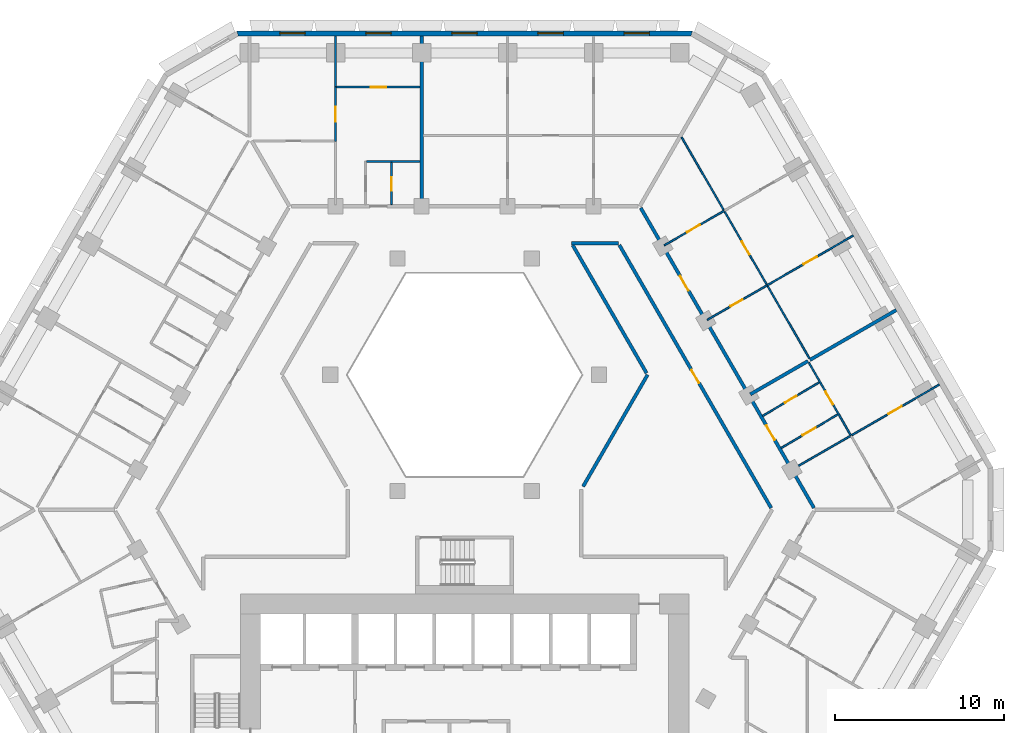
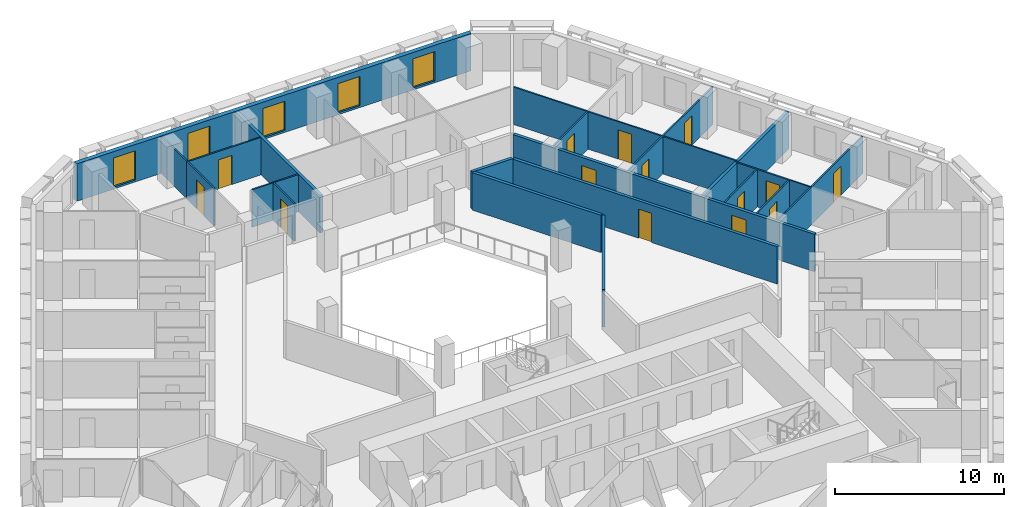
# One storey, part 9 of 16: 22 walls, 14 doors, 5 windows, 19 openings.
"""IFC4 building model written with IfcOpenShell, lengths in metres."""

from ifc_helpers import new_model, si_unit, direction, frame, frame_2d, origin, place, context, subcontext, project, spatial, polyline, rectangle, outline, extrude, material, layer, layer_set, type_object, element, fill, save


model = new_model("IFC4")

# Units and contexts
model_context = context("Model", 3, precision=1e-05, world=origin(), true_north=direction((0.0, 1.0)))
body_context = subcontext(model_context, "Body", "Model", "MODEL_VIEW")
ifc_project = project(units=[si_unit("LENGTHUNIT", "METRE"), si_unit("AREAUNIT", "SQUARE_METRE"), si_unit("VOLUMEUNIT", "CUBIC_METRE"), si_unit("PLANEANGLEUNIT", "RADIAN"), si_unit("MASSUNIT", "GRAM", prefix="KILO")], contexts=[model_context])

# Site, building, storey
site_placement = place(None, origin())
site = spatial("IfcSite", under=ifc_project, at=site_placement, CompositionType="ELEMENT")
building_placement = place(site_placement, origin())
building = spatial("IfcBuilding", under=site, at=building_placement, Name="Beryl Residences", CompositionType="ELEMENT")
storey_placement = place(building_placement, frame((0.0, 0.0, 44.39990234375)))
storey = spatial("IfcBuildingStorey", under=building, at=storey_placement, Name="L13", CompositionType="ELEMENT", Elevation=44.39990234375)

# Wall, openings, windows
ifc_material_1 = material(Name="Composite metal panel with mineral wool insulation")
ifc_layer_1 = layer(ifc_material_1, 0.300048828125)
ifc_layer_set_1 = layer_set([ifc_layer_1], Name="ES1 pale metal composite panel wall 300 mm")
wall_type_1 = type_object("IfcWallType", Name="ES1 pale metal composite panel wall 300 mm", PredefinedType="SOLIDWALL", material=ifc_layer_set_1)
wall_1_placement = place(storey_placement, frame((13.510009765625, 28.25, 0.0), z_axis=(0.0, 0.0, 1.0), x_axis=(-1.0, 0.0, 0.0)))
wall_1 = element("IfcWall", 1, at=wall_1_placement, inside=storey, type_object=wall_type_1, Name="ES1 external wall L13 N", PredefinedType="SOLIDWALL", context=body_context, shape_type="SweptSolid", body=[
    extrude(outline(polyline([(0.0, -0.14990234375), (27.02001953125, -0.14990234375), (26.939697265625, 0.14990234375), (0.080322265625, 0.14990234375), (0.0, -0.14990234375)])), origin(), (0.0, 0.0, 1.0), 2.7001953125),
])
opening_1_placement = place(wall_1_placement, frame((2.552978515625, 0.0, 0.14990234375)))
opening_1 = element("IfcOpeningElement", 2, at=opening_1_placement, cuts=wall_1, Name="Opening W1", PredefinedType="OPENING", context=body_context, shape_type="SweptSolid", body=[
    extrude(rectangle(XDim=1.5, YDim=2.10009765625, at=frame_2d((0.75, 1.050048828125))), frame((0.0, 0.159912109375, 0.0), z_axis=(0.0, -1.0, 0.0), x_axis=(1.0, 0.0, 0.0)), (0.0, 0.0, 1.0), 0.320068359375),
])
opening_2_placement = place(wall_1_placement, frame((7.656982421875, 0.0, 0.14990234375)))
opening_2 = element("IfcOpeningElement", 3, at=opening_2_placement, cuts=wall_1, Name="Opening W1", PredefinedType="OPENING", context=body_context, shape_type="SweptSolid", body=[
    extrude(rectangle(XDim=1.5, YDim=2.10009765625, at=frame_2d((0.75, 1.050048828125))), frame((0.0, 0.159912109375, 0.0), z_axis=(0.0, -1.0, 0.0), x_axis=(1.0, 0.0, 0.0)), (0.0, 0.0, 1.0), 0.320068359375),
])
opening_3_placement = place(wall_1_placement, frame((12.760986328125, 0.0, 0.14990234375)))
opening_3 = element("IfcOpeningElement", 4, at=opening_3_placement, cuts=wall_1, Name="Opening W1", PredefinedType="OPENING", context=body_context, shape_type="SweptSolid", body=[
    extrude(rectangle(XDim=1.5, YDim=2.10009765625, at=frame_2d((0.75, 1.050048828125))), frame((0.0, 0.159912109375, 0.0), z_axis=(0.0, -1.0, 0.0), x_axis=(1.0, 0.0, 0.0)), (0.0, 0.0, 1.0), 0.320068359375),
])
opening_4_placement = place(wall_1_placement, frame((17.864990234375, 0.0, 0.14990234375)))
opening_4 = element("IfcOpeningElement", 5, at=opening_4_placement, cuts=wall_1, Name="Opening W1", PredefinedType="OPENING", context=body_context, shape_type="SweptSolid", body=[
    extrude(rectangle(XDim=1.5, YDim=2.10009765625, at=frame_2d((0.75, 1.050048828125))), frame((0.0, 0.159912109375, 0.0), z_axis=(0.0, -1.0, 0.0), x_axis=(1.0, 0.0, 0.0)), (0.0, 0.0, 1.0), 0.320068359375),
])
opening_5_placement = place(wall_1_placement, frame((22.968994140625, 0.0, 0.14990234375)))
opening_5 = element("IfcOpeningElement", 6, at=opening_5_placement, cuts=wall_1, Name="Opening W1", PredefinedType="OPENING", context=body_context, shape_type="SweptSolid", body=[
    extrude(rectangle(XDim=1.5, YDim=2.10009765625, at=frame_2d((0.75, 1.050048828125))), frame((0.0, 0.159912109375, 0.0), z_axis=(0.0, -1.0, 0.0), x_axis=(1.0, 0.0, 0.0)), (0.0, 0.0, 1.0), 0.320068359375),
])
ifc_material_2 = material(Name="Aluminium and clear glass", Category="aluminium")
window_type = type_object("IfcWindowType", Name="W1 cell window 1500 x 2100 mm", PartitioningType="SINGLE_PANEL", PredefinedType="WINDOW", material=ifc_material_2)
window_1_placement = place(opening_1_placement, origin())
window_1 = element("IfcWindow", 7, at=window_1_placement, inside=storey, type_object=window_type, Name="W1 window L13 N 2", OverallHeight=2.10009765625, OverallWidth=1.5, PartitioningType="SINGLE_PANEL", PredefinedType="WINDOW", context=body_context, shape_type="SweptSolid", body=[
    extrude(rectangle(XDim=1.5, YDim=2.10009765625, at=frame_2d((0.75, 1.050048828125))), frame((0.0, 0.030029296875, 0.0), z_axis=(0.0, -1.0, 0.0), x_axis=(1.0, 0.0, 0.0)), (0.0, 0.0, 1.0), 0.06005859375),
])
fill(opening_1, window_1)
window_2_placement = place(opening_2_placement, origin())
window_2 = element("IfcWindow", 8, at=window_2_placement, inside=storey, type_object=window_type, Name="W1 window L13 N 4", OverallHeight=2.10009765625, OverallWidth=1.5, PartitioningType="SINGLE_PANEL", PredefinedType="WINDOW", context=body_context, shape_type="SweptSolid", body=[
    extrude(rectangle(XDim=1.5, YDim=2.10009765625, at=frame_2d((0.75, 1.050048828125))), frame((0.0, 0.030029296875, 0.0), z_axis=(0.0, -1.0, 0.0), x_axis=(1.0, 0.0, 0.0)), (0.0, 0.0, 1.0), 0.06005859375),
])
fill(opening_2, window_2)
window_3_placement = place(opening_3_placement, origin())
window_3 = element("IfcWindow", 9, at=window_3_placement, inside=storey, type_object=window_type, Name="W1 window L13 N 6", OverallHeight=2.10009765625, OverallWidth=1.5, PartitioningType="SINGLE_PANEL", PredefinedType="WINDOW", context=body_context, shape_type="SweptSolid", body=[
    extrude(rectangle(XDim=1.5, YDim=2.10009765625, at=frame_2d((0.75, 1.050048828125))), frame((0.0, 0.030029296875, 0.0), z_axis=(0.0, -1.0, 0.0), x_axis=(1.0, 0.0, 0.0)), (0.0, 0.0, 1.0), 0.06005859375),
])
fill(opening_3, window_3)
window_4_placement = place(opening_4_placement, origin())
window_4 = element("IfcWindow", 10, at=window_4_placement, inside=storey, type_object=window_type, Name="W1 window L13 N 8", OverallHeight=2.10009765625, OverallWidth=1.5, PartitioningType="SINGLE_PANEL", PredefinedType="WINDOW", context=body_context, shape_type="SweptSolid", body=[
    extrude(rectangle(XDim=1.5, YDim=2.10009765625, at=frame_2d((0.75, 1.050048828125))), frame((0.0, 0.030029296875, 0.0), z_axis=(0.0, -1.0, 0.0), x_axis=(1.0, 0.0, 0.0)), (0.0, 0.0, 1.0), 0.06005859375),
])
fill(opening_4, window_4)
window_5_placement = place(opening_5_placement, origin())
window_5 = element("IfcWindow", 11, at=window_5_placement, inside=storey, type_object=window_type, Name="W1 window L13 N 10", OverallHeight=2.10009765625, OverallWidth=1.5, PartitioningType="SINGLE_PANEL", PredefinedType="WINDOW", context=body_context, shape_type="SweptSolid", body=[
    extrude(rectangle(XDim=1.5, YDim=2.10009765625, at=frame_2d((0.75, 1.050048828125))), frame((0.0, 0.030029296875, 0.0), z_axis=(0.0, -1.0, 0.0), x_axis=(1.0, 0.0, 0.0)), (0.0, 0.0, 1.0), 0.06005859375),
])
fill(opening_5, window_5)

# Wall, opening, door
ifc_material_3 = material(Name="Gypsum board partition on steel studs", Category="steel")
ifc_layer_2 = layer(ifc_material_3, 0.10009765625)
ifc_layer_set_2 = layer_set([ifc_layer_2], Name="PT1 partition 100 mm gypsum board on steel studs")
wall_type_2 = type_object("IfcWallType", Name="PT1 partition 100 mm gypsum board on steel studs", PredefinedType="PARTITIONING", material=ifc_layer_set_2)
wall_2_placement = place(storey_placement, frame((20.4189453125, 8.72802734375, 0.0), z_axis=(0.0, 0.0, 1.0), x_axis=(0.499958946799, -0.866049104564, 0.0)))
wall_2 = element("IfcWall", 12, at=wall_2_placement, inside=storey, type_object=wall_type_2, Name="Wall PT1 L13 002", PredefinedType="PARTITIONING", context=body_context, shape_type="SweptSolid", body=[
    extrude(rectangle(XDim=5.00439453125, YDim=0.10009765625, at=frame_2d((2.502197265625, 0.0))), origin(), (0.0, 0.0, 1.0), 2.7001953125),
])
opening_6_placement = place(wall_2_placement, frame((1.97802734375, 0.0, 0.0)))
opening_6 = element("IfcOpeningElement", 13, at=opening_6_placement, cuts=wall_2, Name="Opening D0548", PredefinedType="OPENING", context=body_context, shape_type="SweptSolid", body=[
    extrude(rectangle(XDim=0.89990234375, YDim=2.10009765625, at=frame_2d((0.449951171875, 1.050048828125))), frame((0.0, 0.06005859375, 0.0), z_axis=(0.0, -1.0, 0.0), x_axis=(1.0, 0.0, 0.0)), (0.0, 0.0, 1.0), 0.1201171875),
])
ifc_material_4 = material(Name="Timber door leaf", Category="wood")
door_type_1 = type_object("IfcDoorType", Name="D2 room door 900 x 2100 mm", OperationType="SINGLE_SWING_LEFT", PredefinedType="DOOR", material=ifc_material_4)
door_1_placement = place(opening_6_placement, origin())
door_1 = element("IfcDoor", 14, at=door_1_placement, inside=storey, type_object=door_type_1, Name="Door D0548 L13 001", OperationType="SINGLE_SWING_RIGHT", OverallHeight=2.10009765625, OverallWidth=0.89990234375, PredefinedType="DOOR", context=body_context, shape_type="SweptSolid", body=[
    extrude(rectangle(XDim=0.89990234375, YDim=2.10009765625, at=frame_2d((0.449951171875, 1.050048828125))), frame((0.0, 0.02490234375, 0.0), z_axis=(0.0, -1.0, 0.0), x_axis=(1.0, 0.0, 0.0)), (0.0, 0.0, 1.0), 0.050048828125),
])
fill(opening_6, door_1)

wall_3_placement = place(storey_placement, frame((12.875, 22.10009765625, 0.0), z_axis=(0.0, 0.0, 1.0), x_axis=(0.499994897061, -0.866028349948, 0.0)))
wall_3 = element("IfcWall", 15, at=wall_3_placement, inside=storey, type_object=wall_type_2, Name="Wall PT1 L13 003", PredefinedType="PARTITIONING", context=body_context, shape_type="SweptSolid", body=[
    extrude(rectangle(XDim=15.152099609375, YDim=0.10009765625, at=frame_2d((7.576171875, 0.0))), origin(), (0.0, 0.0, 1.0), 2.7001953125),
])
opening_7_placement = place(wall_3_placement, frame((7.14599609375, 0.0, 0.0)))
opening_7 = element("IfcOpeningElement", 16, at=opening_7_placement, cuts=wall_3, Name="Opening D0553", PredefinedType="OPENING", context=body_context, shape_type="SweptSolid", body=[
    extrude(rectangle(XDim=0.89990234375, YDim=2.10009765625, at=frame_2d((0.449951171875, 1.050048828125))), frame((0.0, 0.06005859375, 0.0), z_axis=(0.0, -1.0, 0.0), x_axis=(1.0, 0.0, 0.0)), (0.0, 0.0, 1.0), 0.1201171875),
])
door_2_placement = place(opening_7_placement, origin())
door_2 = element("IfcDoor", 17, at=door_2_placement, inside=storey, type_object=door_type_1, Name="Door D0553 L13 001", OperationType="SINGLE_SWING_LEFT", OverallHeight=2.10009765625, OverallWidth=0.89990234375, PredefinedType="DOOR", context=body_context, shape_type="SweptSolid", body=[
    extrude(rectangle(XDim=0.89990234375, YDim=2.10009765625, at=frame_2d((0.449951171875, 1.050048828125))), frame((0.0, 0.02490234375, 0.0), z_axis=(0.0, -1.0, 0.0), x_axis=(1.0, 0.0, 0.0)), (0.0, 0.0, 1.0), 0.050048828125),
])
fill(opening_7, door_2)

# Walls
wall_4_placement = place(storey_placement, frame((-7.656982421875, 28.10009765625, 0.0), z_axis=(0.0, 0.0, 1.0), x_axis=(0.0, -1.0, 0.0)))
element("IfcWall", 18, at=wall_4_placement, inside=storey, type_object=wall_type_2, Name="Wall PT1 L13 005", PredefinedType="PARTITIONING", context=body_context, shape_type="SweptSolid", body=[
    extrude(rectangle(XDim=3.0, YDim=0.10009765625, at=frame_2d((1.5, 0.0))), origin(), (0.0, 0.0, 1.0), 2.7001953125),
])
wall_5_placement = place(storey_placement, frame((-5.820068359375, 20.659912109375, 0.0), z_axis=(0.0, 0.0, 1.0), x_axis=(1.0, 0.0, 0.0)))
element("IfcWall", 19, at=wall_5_placement, inside=storey, type_object=wall_type_2, Name="Wall PT1 L13 032", PredefinedType="PARTITIONING", context=body_context, shape_type="SweptSolid", body=[
    extrude(rectangle(XDim=3.1669921875, YDim=0.10009765625, at=frame_2d((1.58349609375, 0.0))), origin(), (0.0, 0.0, 1.0), 2.7001953125),
])

# Wall, opening, door
wall_6_placement = place(storey_placement, frame((-7.60693359375, 25.070068359375, 0.0), z_axis=(0.0, 0.0, 1.0), x_axis=(1.0, 0.0, 0.0)))
wall_6 = element("IfcWall", 20, at=wall_6_placement, inside=storey, type_object=wall_type_2, Name="Wall PT1 L13 035", PredefinedType="PARTITIONING", context=body_context, shape_type="SweptSolid", body=[
    extrude(rectangle(XDim=4.953857421875, YDim=0.10009765625, at=frame_2d((2.47705078125, 0.0))), origin(), (0.0, 0.0, 1.0), 2.7001953125),
])
opening_8_placement = place(wall_6_placement, frame((2.052001953125, 0.0, 0.0)))
opening_8 = element("IfcOpeningElement", 21, at=opening_8_placement, cuts=wall_6, Name="Opening D0567", PredefinedType="OPENING", context=body_context, shape_type="SweptSolid", body=[
    extrude(rectangle(XDim=0.89990234375, YDim=2.10009765625, at=frame_2d((0.449951171875, 1.050048828125))), frame((0.0, 0.06005859375, 0.0), z_axis=(0.0, -1.0, 0.0), x_axis=(1.0, 0.0, 0.0)), (0.0, 0.0, 1.0), 0.1201171875),
])
door_3_placement = place(opening_8_placement, origin())
door_3 = element("IfcDoor", 22, at=door_3_placement, inside=storey, type_object=door_type_1, Name="Door D0567 L13 001", OperationType="SINGLE_SWING_LEFT", OverallHeight=2.10009765625, OverallWidth=0.89990234375, PredefinedType="DOOR", context=body_context, shape_type="SweptSolid", body=[
    extrude(rectangle(XDim=0.89990234375, YDim=2.10009765625, at=frame_2d((0.449951171875, 1.050048828125))), frame((0.0, 0.02490234375, 0.0), z_axis=(0.0, -1.0, 0.0), x_axis=(1.0, 0.0, 0.0)), (0.0, 0.0, 1.0), 0.050048828125),
])
fill(opening_8, door_3)

wall_7_placement = place(storey_placement, frame((-4.339111328125, 18.10009765625, 0.0), z_axis=(0.0, 0.0, 1.0), x_axis=(0.0, 1.0, 0.0)))
wall_7 = element("IfcWall", 23, at=wall_7_placement, inside=storey, type_object=wall_type_2, Name="Wall PT1 L13 050", PredefinedType="PARTITIONING", context=body_context, shape_type="SweptSolid", body=[
    extrude(rectangle(XDim=2.510009765625, YDim=0.10009765625, at=frame_2d((1.2548828125, 0.0))), origin(), (0.0, 0.0, 1.0), 2.7001953125),
])
opening_9_placement = place(wall_7_placement, frame((0.830078125, 0.0, 0.0)))
opening_9 = element("IfcOpeningElement", 24, at=opening_9_placement, cuts=wall_7, Name="Opening D0566", PredefinedType="OPENING", context=body_context, shape_type="SweptSolid", body=[
    extrude(rectangle(XDim=0.800048828125, YDim=2.10009765625, at=frame_2d((0.39990234375, 1.050048828125))), frame((0.0, 0.06005859375, 0.0), z_axis=(0.0, -1.0, 0.0), x_axis=(1.0, 0.0, 0.0)), (0.0, 0.0, 1.0), 0.1201171875),
])
ifc_material_5 = material(Name="Timber door leaf", Category="wood")
door_type_2 = type_object("IfcDoorType", Name="D3 bathroom door 800 x 2100 mm", OperationType="SINGLE_SWING_LEFT", PredefinedType="DOOR", material=ifc_material_5)
door_4_placement = place(opening_9_placement, origin())
door_4 = element("IfcDoor", 25, at=door_4_placement, inside=storey, type_object=door_type_2, Name="Door D0566 L13 001", OperationType="SINGLE_SWING_RIGHT", OverallHeight=2.10009765625, OverallWidth=0.800048828125, PredefinedType="DOOR", context=body_context, shape_type="SweptSolid", body=[
    extrude(rectangle(XDim=0.800048828125, YDim=2.10009765625, at=frame_2d((0.39990234375, 1.050048828125))), frame((0.0, 0.02490234375, 0.0), z_axis=(0.0, -1.0, 0.0), x_axis=(1.0, 0.0, 0.0)), (0.0, 0.0, 1.0), 0.050048828125),
])
fill(opening_9, door_4)

wall_8_placement = place(storey_placement, frame((-7.656982421875, 21.85400390625, 0.0), z_axis=(0.0, 0.0, 1.0), x_axis=(0.0, 1.0, 0.0)))
wall_8 = element("IfcWall", 26, at=wall_8_placement, inside=storey, type_object=wall_type_2, Name="Wall PT1 L13 053", PredefinedType="PARTITIONING", context=body_context, shape_type="SweptSolid", body=[
    extrude(rectangle(XDim=3.216064453125, YDim=0.10009765625, at=frame_2d((1.60791015625, 0.0))), origin(), (0.0, 0.0, 1.0), 2.7001953125),
])
opening_10_placement = place(wall_8_placement, frame((1.157958984375, 0.0, 0.0)))
opening_10 = element("IfcOpeningElement", 27, at=opening_10_placement, cuts=wall_8, Name="Opening D0568", PredefinedType="OPENING", context=body_context, shape_type="SweptSolid", body=[
    extrude(rectangle(XDim=0.89990234375, YDim=2.10009765625, at=frame_2d((0.449951171875, 1.050048828125))), frame((0.0, 0.06005859375, 0.0), z_axis=(0.0, -1.0, 0.0), x_axis=(1.0, 0.0, 0.0)), (0.0, 0.0, 1.0), 0.1201171875),
])
door_5_placement = place(opening_10_placement, origin())
door_5 = element("IfcDoor", 28, at=door_5_placement, inside=storey, type_object=door_type_1, Name="Door D0568 L13 001", OperationType="SINGLE_SWING_RIGHT", OverallHeight=2.10009765625, OverallWidth=0.89990234375, PredefinedType="DOOR", context=body_context, shape_type="SweptSolid", body=[
    extrude(rectangle(XDim=0.89990234375, YDim=2.10009765625, at=frame_2d((0.449951171875, 1.050048828125))), frame((0.0, 0.02490234375, 0.0), z_axis=(0.0, -1.0, 0.0), x_axis=(1.0, 0.0, 0.0)), (0.0, 0.0, 1.0), 0.050048828125),
])
fill(opening_10, door_5)

wall_9_placement = place(storey_placement, frame((19.5029296875, 2.4208984375, 0.0), z_axis=(0.0, 0.0, 1.0), x_axis=(0.866065245018, 0.499930986609, 0.0)))
wall_9 = element("IfcWall", 29, at=wall_9_placement, inside=storey, type_object=wall_type_2, Name="Wall PT1 L13 060", PredefinedType="PARTITIONING", context=body_context, shape_type="SweptSolid", body=[
    extrude(rectangle(XDim=9.99951171875, YDim=0.10009765625, at=frame_2d((4.999755859375, 0.0))), origin(), (0.0, 0.0, 1.0), 2.7001953125),
])
opening_11_placement = place(wall_9_placement, frame((6.52294921875, 0.0, 0.0)))
opening_11 = element("IfcOpeningElement", 30, at=opening_11_placement, cuts=wall_9, Name="Opening D0549", PredefinedType="OPENING", context=body_context, shape_type="SweptSolid", body=[
    extrude(rectangle(XDim=0.89990234375, YDim=2.10009765625, at=frame_2d((0.449951171875, 1.050048828125))), frame((0.0, 0.06005859375, 0.0), z_axis=(0.0, -1.0, 0.0), x_axis=(1.0, 0.0, 0.0)), (0.0, 0.0, 1.0), 0.1201171875),
])
door_6_placement = place(opening_11_placement, origin())
door_6 = element("IfcDoor", 31, at=door_6_placement, inside=storey, type_object=door_type_1, Name="Door D0549 L13 001", OperationType="SINGLE_SWING_LEFT", OverallHeight=2.10009765625, OverallWidth=0.89990234375, PredefinedType="DOOR", context=body_context, shape_type="SweptSolid", body=[
    extrude(rectangle(XDim=0.89990234375, YDim=2.10009765625, at=frame_2d((0.449951171875, 1.050048828125))), frame((0.0, 0.02490234375, 0.0), z_axis=(0.0, -1.0, 0.0), x_axis=(1.0, 0.0, 0.0)), (0.0, 0.0, 1.0), 0.050048828125),
])
fill(opening_11, door_6)

wall_10_placement = place(storey_placement, frame((11.846923828125, 15.680908203125, 0.0), z_axis=(0.0, 0.0, 1.0), x_axis=(0.865980278416, 0.500078151287, 0.0)))
wall_10 = element("IfcWall", 32, at=wall_10_placement, inside=storey, type_object=wall_type_2, Name="Wall PT1 L13 064", PredefinedType="PARTITIONING", context=body_context, shape_type="SweptSolid", body=[
    extrude(rectangle(XDim=4.099365234375, YDim=0.10009765625, at=frame_2d((2.0498046875, 0.0))), origin(), (0.0, 0.0, 1.0), 2.7001953125),
])
opening_12_placement = place(wall_10_placement, frame((1.550048828125, 0.0, 0.0)))
opening_12 = element("IfcOpeningElement", 33, at=opening_12_placement, cuts=wall_10, Name="Opening D0555", PredefinedType="OPENING", context=body_context, shape_type="SweptSolid", body=[
    extrude(rectangle(XDim=0.89990234375, YDim=2.10009765625, at=frame_2d((0.449951171875, 1.050048828125))), frame((0.0, 0.06005859375, 0.0), z_axis=(0.0, -1.0, 0.0), x_axis=(1.0, 0.0, 0.0)), (0.0, 0.0, 1.0), 0.1201171875),
])
door_7_placement = place(opening_12_placement, origin())
door_7 = element("IfcDoor", 34, at=door_7_placement, inside=storey, type_object=door_type_1, Name="Door D0555 L13 001", OperationType="SINGLE_SWING_LEFT", OverallHeight=2.10009765625, OverallWidth=0.89990234375, PredefinedType="DOOR", context=body_context, shape_type="SweptSolid", body=[
    extrude(rectangle(XDim=0.89990234375, YDim=2.10009765625, at=frame_2d((0.449951171875, 1.050048828125))), frame((0.0, 0.02490234375, 0.0), z_axis=(0.0, -1.0, 0.0), x_axis=(1.0, 0.0, 0.0)), (0.0, 0.0, 1.0), 0.050048828125),
])
fill(opening_12, door_7)

wall_11_placement = place(storey_placement, frame((14.39892578125, 11.260986328125, 0.0), z_axis=(0.0, 0.0, 1.0), x_axis=(0.865980278416, 0.500078151287, 0.0)))
wall_11 = element("IfcWall", 35, at=wall_11_placement, inside=storey, type_object=wall_type_2, Name="Wall PT1 L13 065", PredefinedType="PARTITIONING", context=body_context, shape_type="SweptSolid", body=[
    extrude(rectangle(XDim=4.099365234375, YDim=0.10009765625, at=frame_2d((2.0498046875, 0.0))), origin(), (0.0, 0.0, 1.0), 2.7001953125),
])
opening_13_placement = place(wall_11_placement, frame((1.60009765625, 0.0, 0.0)))
opening_13 = element("IfcOpeningElement", 36, at=opening_13_placement, cuts=wall_11, Name="Opening D0554", PredefinedType="OPENING", context=body_context, shape_type="SweptSolid", body=[
    extrude(rectangle(XDim=0.800048828125, YDim=2.10009765625, at=frame_2d((0.39990234375, 1.050048828125))), frame((0.0, 0.06005859375, 0.0), z_axis=(0.0, -1.0, 0.0), x_axis=(1.0, 0.0, 0.0)), (0.0, 0.0, 1.0), 0.1201171875),
])
door_8_placement = place(opening_13_placement, origin())
door_8 = element("IfcDoor", 37, at=door_8_placement, inside=storey, type_object=door_type_2, Name="Door D0554 L13 001", OperationType="SINGLE_SWING_RIGHT", OverallHeight=2.10009765625, OverallWidth=0.800048828125, PredefinedType="DOOR", context=body_context, shape_type="SweptSolid", body=[
    extrude(rectangle(XDim=0.800048828125, YDim=2.10009765625, at=frame_2d((0.39990234375, 1.050048828125))), frame((0.0, 0.02490234375, 0.0), z_axis=(0.0, -1.0, 0.0), x_axis=(1.0, 0.0, 0.0)), (0.0, 0.0, 1.0), 0.050048828125),
])
fill(opening_13, door_8)

wall_12_placement = place(storey_placement, frame((17.68798828125, 5.56396484375, 0.0), z_axis=(0.0, 0.0, 1.0), x_axis=(0.860107296662, 0.510113162179, 0.0)))
wall_12 = element("IfcWall", 38, at=wall_12_placement, inside=storey, type_object=wall_type_2, Name="Wall PT1 L13 066", PredefinedType="PARTITIONING", context=body_context, shape_type="SweptSolid", body=[
    extrude(rectangle(XDim=3.897216796875, YDim=0.10009765625, at=frame_2d((1.94873046875, 0.0))), origin(), (0.0, 0.0, 1.0), 2.7001953125),
])
opening_14_placement = place(wall_12_placement, frame((1.52392578125, 0.0, 0.0)))
opening_14 = element("IfcOpeningElement", 39, at=opening_14_placement, cuts=wall_12, Name="Opening D0547", PredefinedType="OPENING", context=body_context, shape_type="SweptSolid", body=[
    extrude(rectangle(XDim=0.800048828125, YDim=2.10009765625, at=frame_2d((0.39990234375, 1.050048828125))), frame((0.0, 0.06005859375, 0.0), z_axis=(0.0, -1.0, 0.0), x_axis=(1.0, 0.0, 0.0)), (0.0, 0.0, 1.0), 0.1201171875),
])
door_9_placement = place(opening_14_placement, origin())
door_9 = element("IfcDoor", 40, at=door_9_placement, inside=storey, type_object=door_type_2, Name="Door D0547 L13 001", OperationType="SINGLE_SWING_LEFT", OverallHeight=2.10009765625, OverallWidth=0.800048828125, PredefinedType="DOOR", context=body_context, shape_type="SweptSolid", body=[
    extrude(rectangle(XDim=0.800048828125, YDim=2.10009765625, at=frame_2d((0.39990234375, 1.050048828125))), frame((0.0, 0.02490234375, 0.0), z_axis=(0.0, -1.0, 0.0), x_axis=(1.0, 0.0, 0.0)), (0.0, 0.0, 1.0), 0.050048828125),
])
fill(opening_14, door_9)

wall_13_placement = place(storey_placement, frame((18.7880859375, 3.658935546875, 0.0), z_axis=(0.0, 0.0, 1.0), x_axis=(0.860090994311, 0.510140648749, 0.0)))
wall_13 = element("IfcWall", 41, at=wall_13_placement, inside=storey, type_object=wall_type_2, Name="Wall PT1 L13 067", PredefinedType="PARTITIONING", context=body_context, shape_type="SweptSolid", body=[
    extrude(rectangle(XDim=3.89697265625, YDim=0.10009765625, at=frame_2d((1.948486328125, 0.0))), origin(), (0.0, 0.0, 1.0), 2.7001953125),
])
opening_15_placement = place(wall_13_placement, frame((1.47412109375, 0.0, 0.0)))
opening_15 = element("IfcOpeningElement", 42, at=opening_15_placement, cuts=wall_13, Name="Opening D0546", PredefinedType="OPENING", context=body_context, shape_type="SweptSolid", body=[
    extrude(rectangle(XDim=0.89990234375, YDim=2.10009765625, at=frame_2d((0.449951171875, 1.050048828125))), frame((0.0, 0.06005859375, 0.0), z_axis=(0.0, -1.0, 0.0), x_axis=(1.0, 0.0, 0.0)), (0.0, 0.0, 1.0), 0.1201171875),
])
door_10_placement = place(opening_15_placement, origin())
door_10 = element("IfcDoor", 43, at=door_10_placement, inside=storey, type_object=door_type_1, Name="Door D0546 L13 001", OperationType="SINGLE_SWING_RIGHT", OverallHeight=2.10009765625, OverallWidth=0.89990234375, PredefinedType="DOOR", context=body_context, shape_type="SweptSolid", body=[
    extrude(rectangle(XDim=0.89990234375, YDim=2.10009765625, at=frame_2d((0.449951171875, 1.050048828125))), frame((0.0, 0.02490234375, 0.0), z_axis=(0.0, -1.0, 0.0), x_axis=(1.0, 0.0, 0.0)), (0.0, 0.0, 1.0), 0.050048828125),
])
fill(opening_15, door_10)

wall_14_placement = place(storey_placement, frame((17.948974609375, 13.31103515625, 0.0), z_axis=(0.0, 0.0, 1.0), x_axis=(0.866052608538, 0.499952877023, 0.0)))
wall_14 = element("IfcWall", 44, at=wall_14_placement, inside=storey, type_object=wall_type_2, Name="Wall PT1 L13 070", PredefinedType="PARTITIONING", context=body_context, shape_type="SweptSolid", body=[
    extrude(rectangle(XDim=5.900390625, YDim=0.10009765625, at=frame_2d((2.9501953125, 0.0))), origin(), (0.0, 0.0, 1.0), 2.7001953125),
])
opening_16_placement = place(wall_14_placement, frame((2.5, 0.0, 0.0)))
opening_16 = element("IfcOpeningElement", 45, at=opening_16_placement, cuts=wall_14, Name="Opening D0556", PredefinedType="OPENING", context=body_context, shape_type="SweptSolid", body=[
    extrude(rectangle(XDim=0.89990234375, YDim=2.10009765625, at=frame_2d((0.449951171875, 1.050048828125))), frame((0.0, 0.06005859375, 0.0), z_axis=(0.0, -1.0, 0.0), x_axis=(1.0, 0.0, 0.0)), (0.0, 0.0, 1.0), 0.1201171875),
])
door_11_placement = place(opening_16_placement, origin())
door_11 = element("IfcDoor", 46, at=door_11_placement, inside=storey, type_object=door_type_1, Name="Door D0556 L13 001", OperationType="SINGLE_SWING_RIGHT", OverallHeight=2.10009765625, OverallWidth=0.89990234375, PredefinedType="DOOR", context=body_context, shape_type="SweptSolid", body=[
    extrude(rectangle(XDim=0.89990234375, YDim=2.10009765625, at=frame_2d((0.449951171875, 1.050048828125))), frame((0.0, 0.02490234375, 0.0), z_axis=(0.0, -1.0, 0.0), x_axis=(1.0, 0.0, 0.0)), (0.0, 0.0, 1.0), 0.050048828125),
])
fill(opening_16, door_11)

# Walls
ifc_material_6 = material(Name="Acoustic double stud gypsum board wall")
ifc_layer_3 = layer(ifc_material_6, 0.199951171875)
ifc_layer_set_3 = layer_set([ifc_layer_3], Name="PT3 party wall 200 mm acoustic double stud")
wall_type_3 = type_object("IfcWallType", Name="PT3 party wall 200 mm acoustic double stud", PredefinedType="PARTITIONING", material=ifc_layer_set_3)
wall_15_placement = place(storey_placement, frame((-2.552978515625, 18.10009765625, 0.0), z_axis=(0.0, 0.0, 1.0), x_axis=(0.0, 1.0, 0.0)))
element("IfcWall", 47, at=wall_15_placement, inside=storey, type_object=wall_type_3, Name="Wall PT3 L13 016", PredefinedType="PARTITIONING", context=body_context, shape_type="SweptSolid", body=[
    extrude(rectangle(XDim=10.0, YDim=0.199951171875, at=frame_2d((5.0, 0.0))), origin(), (0.0, 0.0, 1.0), 2.7001953125),
])
wall_16_placement = place(storey_placement, frame((16.949951171875, 6.841064453125, 0.0), z_axis=(0.0, 0.0, 1.0), x_axis=(0.866031112038, 0.499990112884, 0.0)))
element("IfcWall", 48, at=wall_16_placement, inside=storey, type_object=wall_type_3, Name="Wall PT3 L13 019", PredefinedType="PARTITIONING", context=body_context, shape_type="SweptSolid", body=[
    extrude(rectangle(XDim=3.94775390625, YDim=0.199951171875, at=frame_2d((1.973876953125, 0.0))), origin(), (0.0, 0.0, 1.0), 2.7001953125),
])
wall_17_placement = place(storey_placement, frame((20.48388671875, 8.881103515625, 0.0), z_axis=(0.0, 0.0, 1.0), x_axis=(0.866000821391, 0.500042575537, 0.0)))
element("IfcWall", 49, at=wall_17_placement, inside=storey, type_object=wall_type_3, Name="Wall PT3 L13 020", PredefinedType="PARTITIONING", context=body_context, shape_type="SweptSolid", body=[
    extrude(rectangle(XDim=5.91943359375, YDim=0.199951171875, at=frame_2d((2.959716796875, 0.0))), origin(), (0.0, 0.0, 1.0), 2.7001953125),
])
ifc_material_7 = material(Name="Double stud gypsum board wall")
ifc_layer_4 = layer(ifc_material_7, 0.199951171875)
ifc_layer_set_4 = layer_set([ifc_layer_4], Name="PT4 corridor wall 200 mm double stud")
wall_type_4 = type_object("IfcWallType", Name="PT4 corridor wall 200 mm double stud", PredefinedType="PARTITIONING", material=ifc_layer_set_4)
wall_18_placement = place(storey_placement, frame((6.408935546875, 15.699951171875, 0.0), z_axis=(0.0, 0.0, 1.0), x_axis=(0.499930377127, -0.866065596838, 0.0)))
element("IfcWall", 50, at=wall_18_placement, inside=storey, type_object=wall_type_4, Name="Wall PT4 L13 004", PredefinedType="PARTITIONING", context=body_context, shape_type="SweptSolid", body=[
    extrude(rectangle(XDim=8.775146484375, YDim=0.199951171875, at=frame_2d((4.3876953125, 0.0))), origin(), (0.0, 0.0, 1.0), 2.7001953125),
])

# Wall, opening, door
wall_19_placement = place(storey_placement, frame((9.179931640625, 15.699951171875, 0.0), z_axis=(0.0, 0.0, 1.0), x_axis=(0.500003652032, -0.866023295272, 0.0)))
wall_19 = element("IfcWall", 51, at=wall_19_placement, inside=storey, type_object=wall_type_4, Name="Wall PT4 L13 005", PredefinedType="PARTITIONING", context=body_context, shape_type="SweptSolid", body=[
    extrude(rectangle(XDim=18.011962890625, YDim=0.199951171875, at=frame_2d((9.005859375, 0.0))), origin(), (0.0, 0.0, 1.0), 2.7001953125),
])
opening_17_placement = place(wall_19_placement, frame((8.555908203125, 0.0, 0.0)))
opening_17 = element("IfcOpeningElement", 52, at=opening_17_placement, cuts=wall_19, Name="Opening D0578", PredefinedType="OPENING", context=body_context, shape_type="SweptSolid", body=[
    extrude(rectangle(XDim=0.89990234375, YDim=2.10009765625, at=frame_2d((0.449951171875, 1.050048828125))), frame((0.0, 0.10986328125, 0.0), z_axis=(0.0, -1.0, 0.0), x_axis=(1.0, 0.0, 0.0)), (0.0, 0.0, 1.0), 0.219970703125),
])
door_12_placement = place(opening_17_placement, origin())
door_12 = element("IfcDoor", 53, at=door_12_placement, inside=storey, type_object=door_type_1, Name="Door D0578 L13 001", OperationType="SINGLE_SWING_RIGHT", OverallHeight=2.10009765625, OverallWidth=0.89990234375, PredefinedType="DOOR", context=body_context, shape_type="SweptSolid", body=[
    extrude(rectangle(XDim=0.89990234375, YDim=2.10009765625, at=frame_2d((0.449951171875, 1.050048828125))), frame((0.0, 0.02490234375, 0.0), z_axis=(0.0, -1.0, 0.0), x_axis=(1.0, 0.0, 0.0)), (0.0, 0.0, 1.0), 0.050048828125),
])
fill(opening_17, door_12)

# Wall, openings, doors
wall_20_placement = place(storey_placement, frame((10.449951171875, 17.89990234375, 0.0), z_axis=(0.0, 0.0, 1.0), x_axis=(0.500034352617, -0.866005569383, 0.0)))
wall_20 = element("IfcWall", 54, at=wall_20_placement, inside=storey, type_object=wall_type_4, Name="Wall PT4 L13 006", PredefinedType="PARTITIONING", context=body_context, shape_type="SweptSolid", body=[
    extrude(rectangle(XDim=20.552734375, YDim=0.199951171875, at=frame_2d((10.2763671875, 0.0))), origin(), (0.0, 0.0, 1.0), 2.7001953125),
])
opening_18_placement = place(wall_20_placement, frame((14.902099609375, 0.0, 0.0)))
opening_18 = element("IfcOpeningElement", 55, at=opening_18_placement, cuts=wall_20, Name="Opening D0545", PredefinedType="OPENING", context=body_context, shape_type="SweptSolid", body=[
    extrude(rectangle(XDim=1.0, YDim=2.10009765625, at=frame_2d((0.5, 1.050048828125))), frame((0.0, 0.10986328125, 0.0), z_axis=(0.0, -1.0, 0.0), x_axis=(1.0, 0.0, 0.0)), (0.0, 0.0, 1.0), 0.219970703125),
])
opening_19_placement = place(wall_20_placement, frame((4.6708984375, 0.0, 0.0)))
opening_19 = element("IfcOpeningElement", 56, at=opening_19_placement, cuts=wall_20, Name="Opening D0552", PredefinedType="OPENING", context=body_context, shape_type="SweptSolid", body=[
    extrude(rectangle(XDim=1.0, YDim=2.10009765625, at=frame_2d((0.5, 1.050048828125))), frame((0.0, 0.10986328125, 0.0), z_axis=(0.0, -1.0, 0.0), x_axis=(1.0, 0.0, 0.0)), (0.0, 0.0, 1.0), 0.219970703125),
])
ifc_material_8 = material(Name="Timber door leaf", Category="wood")
door_type_3 = type_object("IfcDoorType", Name="D1 flat entrance door 1000 x 2100 mm", OperationType="SINGLE_SWING_LEFT", PredefinedType="DOOR", material=ifc_material_8)
door_13_placement = place(opening_18_placement, origin())
door_13 = element("IfcDoor", 57, at=door_13_placement, inside=storey, type_object=door_type_3, Name="Door D0545 L13 001", OperationType="SINGLE_SWING_LEFT", OverallHeight=2.10009765625, OverallWidth=1.0, PredefinedType="DOOR", context=body_context, shape_type="SweptSolid", body=[
    extrude(rectangle(XDim=1.0, YDim=2.10009765625, at=frame_2d((0.5, 1.050048828125))), frame((0.0, 0.02490234375, 0.0), z_axis=(0.0, -1.0, 0.0), x_axis=(1.0, 0.0, 0.0)), (0.0, 0.0, 1.0), 0.050048828125),
])
fill(opening_18, door_13)
door_14_placement = place(opening_19_placement, origin())
door_14 = element("IfcDoor", 58, at=door_14_placement, inside=storey, type_object=door_type_3, Name="Door D0552 L13 001", OperationType="SINGLE_SWING_RIGHT", OverallHeight=2.10009765625, OverallWidth=1.0, PredefinedType="DOOR", context=body_context, shape_type="SweptSolid", body=[
    extrude(rectangle(XDim=1.0, YDim=2.10009765625, at=frame_2d((0.5, 1.050048828125))), frame((0.0, 0.02490234375, 0.0), z_axis=(0.0, -1.0, 0.0), x_axis=(1.0, 0.0, 0.0)), (0.0, 0.0, 1.0), 0.050048828125),
])
fill(opening_19, door_14)

# Walls
wall_21_placement = place(storey_placement, frame((6.35107421875, 15.800048828125, 0.0), z_axis=(0.0, 0.0, 1.0), x_axis=(1.0, 0.0, 0.0)))
element("IfcWall", 59, at=wall_21_placement, inside=storey, type_object=wall_type_4, Name="Wall PT4 L13 018", PredefinedType="PARTITIONING", context=body_context, shape_type="SweptSolid", body=[
    extrude(rectangle(XDim=2.77099609375, YDim=0.199951171875, at=frame_2d((1.385498046875, 0.0))), origin(), (0.0, 0.0, 1.0), 2.7001953125),
])
wall_22_placement = place(storey_placement, frame((7.028076171875, 1.373046875, 0.0), z_axis=(0.0, 0.0, 1.0), x_axis=(0.49998574534, 0.86603363356, 0.0)))
element("IfcWall", 60, at=wall_22_placement, inside=storey, type_object=wall_type_4, Name="Wall PT4 L13 020", PredefinedType="PARTITIONING", context=body_context, shape_type="SweptSolid", body=[
    extrude(rectangle(XDim=7.652099609375, YDim=0.199951171875, at=frame_2d((3.826171875, 0.0))), origin(), (0.0, 0.0, 1.0), 2.7001953125),
])

save(model, "model.ifc")
